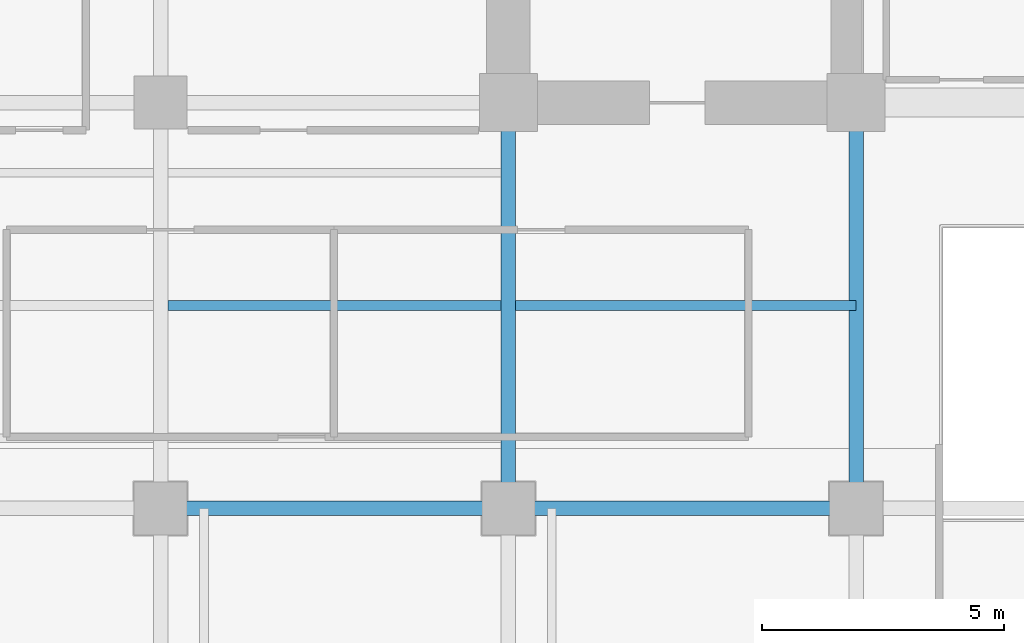
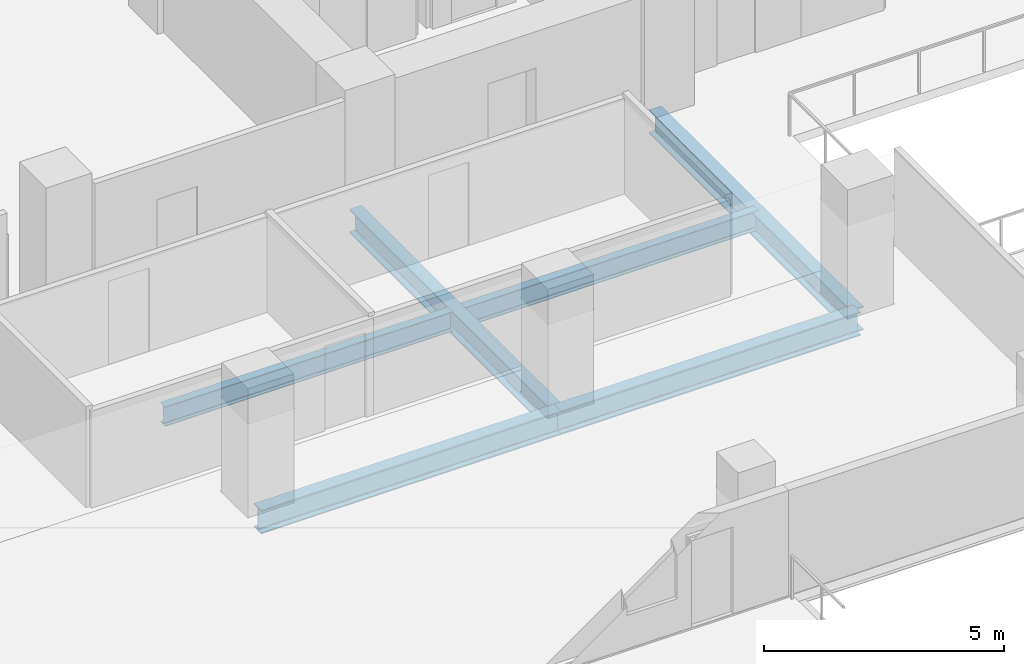
# One storey, part 4 of 31: 6 beams.
"""IFC4 building model written with IfcOpenShell, lengths in metres."""

from ifc_helpers import new_model, si_unit, direction, frame, origin, origin_2d, place, context, subcontext, project, spatial, i_section, extrude, material, material_profile, profile_set, type_object, element, save


model = new_model("IFC4")

# Units and contexts
model_context = context("Model", 3, precision=1e-05, world=origin(), true_north=direction((0.0, 1.0)))
body_context = subcontext(model_context, "Body", "Model", "MODEL_VIEW")
ifc_project = project(units=[si_unit("LENGTHUNIT", "METRE"), si_unit("AREAUNIT", "SQUARE_METRE"), si_unit("VOLUMEUNIT", "CUBIC_METRE"), si_unit("PLANEANGLEUNIT", "RADIAN"), si_unit("MASSUNIT", "GRAM", prefix="KILO")], contexts=[model_context])

# Site, building, storey
site_placement = place(None, origin())
site = spatial("IfcSite", under=ifc_project, at=site_placement, CompositionType="ELEMENT")
building_placement = place(site_placement, origin())
building = spatial("IfcBuilding", under=site, at=building_placement, Name="Zarnakvel Exchange Tower", CompositionType="ELEMENT")
storey_placement = place(building_placement, frame((0.0, 0.0, 47.199951171875)))
storey = spatial("IfcBuildingStorey", under=building, at=storey_placement, Name="L12", CompositionType="ELEMENT", Elevation=47.199951171875)

# Beams
ifc_material = material(Name="Steel S355", Category="steel")
ifc_material_profile_1 = material_profile(ifc_material, i_section(OverallWidth=0.199951171875, OverallDepth=0.5, WebThickness=0.01025390625, FlangeThickness=0.01611328125, FilletRadius=0.02099609375, at=origin_2d()))
ifc_profile_set_1 = profile_set([ifc_material_profile_1], Name="Steel S355")
beam_type_1 = type_object("IfcBeamType", Name="B-04", PredefinedType="JOIST", material=ifc_profile_set_1)
beam_1_placement = place(storey_placement, frame((-21.449951171875, -5.39990234375, -0.474853515625), z_axis=(1.0, 0.0, 0.0), x_axis=(0.0, 1.0, 0.0)))
element("IfcBeam", 1, at=beam_1_placement, inside=storey, type_object=beam_type_1, Name="L12 Composite Floor Secondary Joist", PredefinedType="JOIST", context=body_context, shape_type="SweptSolid", body=[
    extrude(i_section(OverallWidth=0.199951171875, OverallDepth=0.5, WebThickness=0.01025390625, FlangeThickness=0.01611328125, FilletRadius=0.02099609375, at=origin_2d()), origin(), (0.0, 0.0, 1.0), 6.89990234375),
])
beam_2_placement = place(storey_placement, frame((-14.25, -5.39990234375, -0.474853515625), z_axis=(1.0, 0.0, 0.0), x_axis=(0.0, 1.0, 0.0)))
element("IfcBeam", 2, at=beam_2_placement, inside=storey, type_object=beam_type_1, Name="L12 Composite Floor Secondary Joist", PredefinedType="JOIST", context=body_context, shape_type="SweptSolid", body=[
    extrude(i_section(OverallWidth=0.199951171875, OverallDepth=0.5, WebThickness=0.01025390625, FlangeThickness=0.01611328125, FilletRadius=0.02099609375, at=origin_2d()), origin(), (0.0, 0.0, 1.0), 7.050048828125),
])
ifc_material_profile_2 = material_profile(ifc_material, i_section(OverallWidth=0.300048828125, OverallDepth=0.60009765625, WebThickness=0.015380859375, FlangeThickness=0.030029296875, FilletRadius=0.027099609375, at=origin_2d()))
ifc_profile_set_2 = profile_set([ifc_material_profile_2], Name="Steel S355")
beam_type_2 = type_object("IfcBeamType", Name="G-04", PredefinedType="BEAM", material=ifc_profile_set_2)
beam_3_placement = place(storey_placement, frame((-21.60009765625, -9.60009765625, -0.52490234375), z_axis=(1.0, 0.0, 0.0), x_axis=(0.0, 1.0, 0.0)))
element("IfcBeam", 3, at=beam_3_placement, inside=storey, type_object=beam_type_2, Name="L12 Tower E-W Frame Beam", PredefinedType="BEAM", context=body_context, shape_type="SweptSolid", body=[
    extrude(i_section(OverallWidth=0.300048828125, OverallDepth=0.60009765625, WebThickness=0.015380859375, FlangeThickness=0.030029296875, FilletRadius=0.027099609375, at=origin_2d()), origin(), (0.0, 0.0, 1.0), 7.2001953125),
])
beam_4_placement = place(storey_placement, frame((-14.39990234375, -9.60009765625, -0.52490234375), z_axis=(1.0, 0.0, 0.0), x_axis=(0.0, 1.0, 0.0)))
element("IfcBeam", 4, at=beam_4_placement, inside=storey, type_object=beam_type_2, Name="L12 Tower E-W Frame Beam", PredefinedType="BEAM", context=body_context, shape_type="SweptSolid", body=[
    extrude(i_section(OverallWidth=0.300048828125, OverallDepth=0.60009765625, WebThickness=0.015380859375, FlangeThickness=0.030029296875, FilletRadius=0.027099609375, at=origin_2d()), origin(), (0.0, 0.0, 1.0), 7.199951171875),
])
for number, where, z_axis, x_axis, name in (
    (5, (-14.39990234375, -9.60009765625, -0.52490234375), (0.0, 1.0, 0.0), (-1.0, 0.0, 0.0), "L12 Tower N-S Frame Beam"),
    (6, (-7.199951171875, -9.60009765625, -0.52490234375), (0.0, 1.0, 0.0), (-1.0, 0.0, 0.0), "L12 Tower N-S Frame Beam"),
):
    element("IfcBeam", number, at=place(storey_placement, frame(where, z_axis=z_axis, x_axis=x_axis)), inside=storey, type_object=beam_type_2, Name=name, PredefinedType="BEAM", context=body_context, shape_type="SweptSolid", body=[
        extrude(i_section(OverallWidth=0.300048828125, OverallDepth=0.60009765625, WebThickness=0.015380859375, FlangeThickness=0.030029296875, FilletRadius=0.027099609375, at=origin_2d()), origin(), (0.0, 0.0, 1.0), 8.400146484375),
    ])

save(model, "model.ifc")
